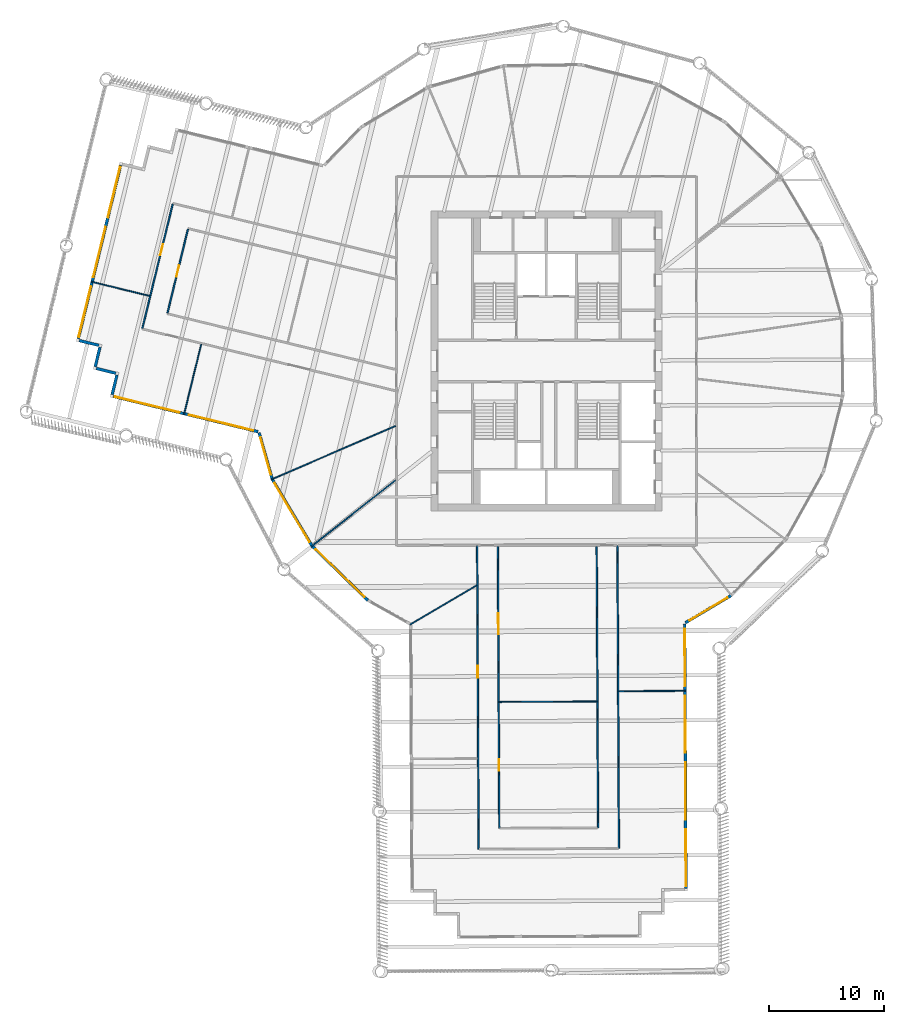
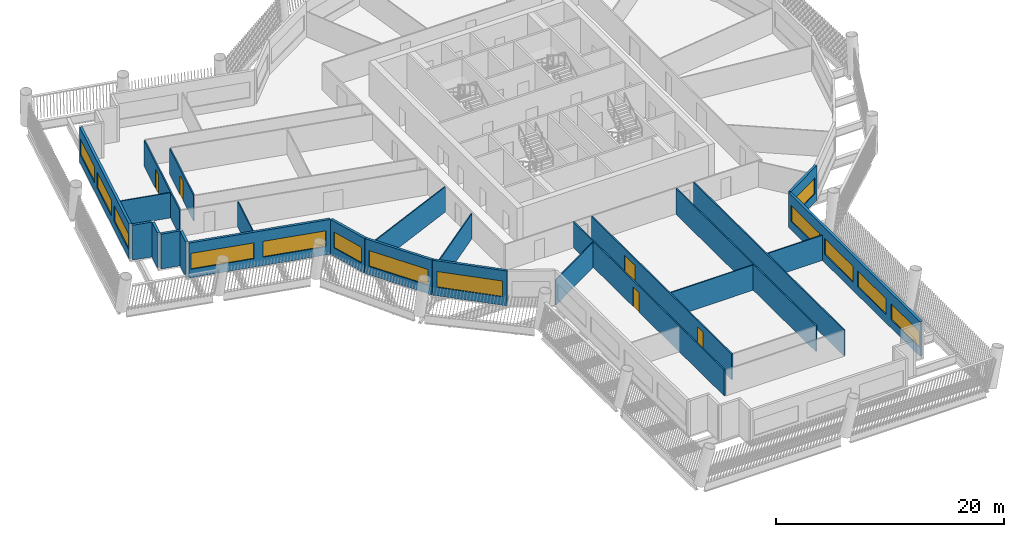
# One storey, part 3 of 15: 24 walls, 13 windows, 5 doors, 18 openings.
"""IFC4 building model written with IfcOpenShell, lengths in metres."""

from ifc_helpers import new_model, si_unit, direction, frame, frame_2d, origin, place, context, subcontext, project, spatial, rectangle, extrude, material, layer, layer_set, type_object, element, fill, save


model = new_model("IFC4")

# Units and contexts
model_context = context("Model", 3, precision=1e-05, world=origin(), true_north=direction((0.0, 1.0)))
body_context = subcontext(model_context, "Body", "Model", "MODEL_VIEW")
ifc_project = project(units=[si_unit("LENGTHUNIT", "METRE"), si_unit("AREAUNIT", "SQUARE_METRE"), si_unit("VOLUMEUNIT", "CUBIC_METRE"), si_unit("PLANEANGLEUNIT", "RADIAN"), si_unit("MASSUNIT", "GRAM", prefix="KILO")], contexts=[model_context])

# Site, building, storey
site_placement = place(None, origin())
site = spatial("IfcSite", under=ifc_project, at=site_placement, CompositionType="ELEMENT")
building_placement = place(site_placement, origin())
building = spatial("IfcBuilding", under=site, at=building_placement, Name="Tarsis Ring Headquarters", CompositionType="ELEMENT")
storey_placement = place(building_placement, frame((0.0, 0.0, 227.699951171875)))
storey = spatial("IfcBuildingStorey", under=building, at=storey_placement, Name="L53", CompositionType="ELEMENT", Elevation=227.699951171875)

# Walls
ifc_material_1 = material(Name="Gypsum board on steel studs", Category="steel")
ifc_layer_1 = layer(ifc_material_1, 0.10009765625)
ifc_layer_set_1 = layer_set([ifc_layer_1], Name="FL partition 100 unrated")
wall_type_1 = type_object("IfcWallType", Name="FL partition 100 unrated", PredefinedType="PARTITIONING", material=ifc_layer_set_1)
wall_1_placement = place(storey_placement, frame((-23.835205078125, -10.255126953125, 0.0), z_axis=(0.0, 0.0, 1.0), x_axis=(0.918589005975, 0.395214167385, 0.0)))
element("IfcWall", 1, at=wall_1_placement, inside=storey, type_object=wall_type_1, Name="Partition PW3", PredefinedType="PARTITIONING", context=body_context, shape_type="SweptSolid", body=[
    extrude(rectangle(XDim=11.715576171875, YDim=0.10009765625, at=frame_2d((5.85791015625, 0.0))), origin(), (0.0, 0.0, 1.0), 2.699951171875),
])
wall_2_placement = place(storey_placement, frame((-20.368896484375, -16.07470703125, 0.0), z_axis=(0.0, 0.0, 1.0), x_axis=(0.785010736889, 0.619482157103, 0.0)))
element("IfcWall", 2, at=wall_2_placement, inside=storey, type_object=wall_type_1, Name="Partition PW3", PredefinedType="PARTITIONING", context=body_context, shape_type="SweptSolid", body=[
    extrude(rectangle(XDim=9.277099609375, YDim=0.10009765625, at=frame_2d((4.638671875, 0.0))), origin(), (0.0, 0.0, 1.0), 2.699951171875),
])
wall_3_placement = place(storey_placement, frame((-4.065673828125, -29.540283203125, 0.0), z_axis=(0.0, 0.0, 1.0), x_axis=(0.999987993966, 0.004900196329, 0.0)))
element("IfcWall", 3, at=wall_3_placement, inside=storey, type_object=wall_type_1, Name="Partition PW3", PredefinedType="PARTITIONING", context=body_context, shape_type="SweptSolid", body=[
    extrude(rectangle(XDim=8.419921875, YDim=0.10009765625, at=frame_2d((4.2099609375, 0.0))), origin(), (0.0, 0.0, 1.0), 2.699951171875),
])
wall_4_placement = place(storey_placement, frame((-11.8134765625, -22.837158203125, 0.0), z_axis=(0.0, 0.0, 1.0), x_axis=(0.861367545123, 0.507982236116, 0.0)))
element("IfcWall", 4, at=wall_4_placement, inside=storey, type_object=wall_type_1, Name="Partition PW3", PredefinedType="PARTITIONING", context=body_context, shape_type="SweptSolid", body=[
    extrude(rectangle(XDim=6.673828125, YDim=0.10009765625, at=frame_2d((3.3369140625, 0.0))), origin(), (0.0, 0.0, 1.0), 2.699951171875),
])
wall_5_placement = place(storey_placement, frame((-31.405029296875, -4.633544921875, 0.0), z_axis=(0.0, 0.0, 1.0), x_axis=(0.237180806142, 0.971465524452, 0.0)))
element("IfcWall", 5, at=wall_5_placement, inside=storey, type_object=wall_type_1, Name="Partition PW3", PredefinedType="PARTITIONING", context=body_context, shape_type="SweptSolid", body=[
    extrude(rectangle(XDim=6.280029296875, YDim=0.10009765625, at=frame_2d((3.14013671875, 0.0))), origin(), (0.0, 0.0, 1.0), 2.699951171875),
])
wall_6_placement = place(storey_placement, frame((6.289794921875, -28.609619140625, 0.0), z_axis=(0.0, 0.0, 1.0), x_axis=(0.999988079485, 0.004882713189, 0.0)))
element("IfcWall", 6, at=wall_6_placement, inside=storey, type_object=wall_type_1, Name="Partition PW3", PredefinedType="PARTITIONING", context=body_context, shape_type="SweptSolid", body=[
    extrude(rectangle(XDim=5.800048828125, YDim=0.10009765625, at=frame_2d((2.89990234375, 0.0))), origin(), (0.0, 0.0, 1.0), 2.699951171875),
])
wall_7_placement = place(storey_placement, frame((-39.443359375, 6.88134765625, 0.0), z_axis=(0.0, 0.0, 1.0), x_axis=(0.97146696183, -0.237174918727, 0.0)))
element("IfcWall", 7, at=wall_7_placement, inside=storey, type_object=wall_type_1, Name="Partition PW3", PredefinedType="PARTITIONING", context=body_context, shape_type="SweptSolid", body=[
    extrude(rectangle(XDim=5.190185546875, YDim=0.10009765625, at=frame_2d((2.59521484375, 0.0))), origin(), (0.0, 0.0, 1.0), 2.699951171875),
])

# Wall, opening, door
ifc_layer_2 = layer(ifc_material_1, 0.125)
ifc_layer_set_2 = layer_set([ifc_layer_2], Name="FL partition 125 EI 60 H2770")
wall_type_2 = type_object("IfcWallType", Name="FL partition 125 EI 60 H2770", PredefinedType="PARTITIONING", material=ifc_layer_set_2)
wall_8_placement = place(storey_placement, frame((-6.001953125, -16.0, 0.0), z_axis=(0.0, 0.0, 1.0), x_axis=(0.004892164029, -0.999988033294, 0.0)))
wall_8 = element("IfcWall", 8, at=wall_8_placement, inside=storey, type_object=wall_type_2, Name="Partition PW1", PredefinedType="PARTITIONING", context=body_context, shape_type="SweptSolid", body=[
    extrude(rectangle(XDim=26.299560546875, YDim=0.125, at=frame_2d((13.14990234375, 0.0))), origin(), (0.0, 0.0, 1.0), 2.77001953125),
])
opening_1_placement = place(wall_8_placement, frame((10.42431640625, 0.0, 0.0)))
opening_1 = element("IfcOpeningElement", 9, at=opening_1_placement, cuts=wall_8, Name="Opening D53.12", PredefinedType="OPENING", context=body_context, shape_type="SweptSolid", body=[
    extrude(rectangle(XDim=1.0, YDim=2.10009765625, at=frame_2d((0.5, 1.050048828125))), frame((0.0, 0.072509765625, 0.0), z_axis=(0.0, -1.0, 0.0), x_axis=(1.0, 0.0, 0.0)), (0.0, 0.0, 1.0), 0.14501953125),
])
ifc_material_2 = material(Name="Fire-rated timber door leaf in steel frame", Category="steel")
door_type_1 = type_object("IfcDoorType", Name="FL door FD60-1000", OperationType="NOTDEFINED", PredefinedType="DOOR", material=ifc_material_2)
door_1_placement = place(opening_1_placement, origin())
door_1 = element("IfcDoor", 10, at=door_1_placement, inside=storey, type_object=door_type_1, Name="Door D53.12", OperationType="SINGLE_SWING_LEFT", OverallHeight=2.10009765625, OverallWidth=1.0, PredefinedType="DOOR", context=body_context, shape_type="SweptSolid", body=[
    extrude(rectangle(XDim=1.0, YDim=2.10009765625, at=frame_2d((0.5, 1.050048828125))), frame((0.0, 0.02490234375, 0.0), z_axis=(0.0, -1.0, 0.0), x_axis=(1.0, 0.0, 0.0)), (0.0, 0.0, 1.0), 0.050048828125),
])
fill(opening_1, door_1)

# Wall
wall_9_placement = place(storey_placement, frame((6.158203125, -16.0, 0.0), z_axis=(0.0, 0.0, 1.0), x_axis=(0.004893966215, -0.999988024476, 0.0)))
element("IfcWall", 11, at=wall_9_placement, inside=storey, type_object=wall_type_2, Name="Partition PW1", PredefinedType="PARTITIONING", context=body_context, shape_type="SweptSolid", body=[
    extrude(rectangle(XDim=26.239990234375, YDim=0.125, at=frame_2d((13.1201171875, 0.0))), origin(), (0.0, 0.0, 1.0), 2.77001953125),
])

# Wall, openings, doors
wall_10_placement = place(storey_placement, frame((-4.201416015625, -16.070068359375, 0.0), z_axis=(0.0, 0.0, 1.0), x_axis=(0.004878673469, -0.999988099202, 0.0)))
wall_10 = element("IfcWall", 12, at=wall_10_placement, inside=storey, type_object=wall_type_2, Name="Partition PW1", PredefinedType="PARTITIONING", context=body_context, shape_type="SweptSolid", body=[
    extrude(rectangle(XDim=24.420654296875, YDim=0.125, at=frame_2d((12.21044921875, 0.0))), origin(), (0.0, 0.0, 1.0), 2.77001953125),
])
opening_2_placement = place(wall_10_placement, frame((5.79931640625, 0.0, 0.0)))
opening_2 = element("IfcOpeningElement", 13, at=opening_2_placement, cuts=wall_10, Name="Opening D53.18", PredefinedType="OPENING", context=body_context, shape_type="SweptSolid", body=[
    extrude(rectangle(XDim=1.800048828125, YDim=2.10009765625, at=frame_2d((0.89990234375, 1.050048828125))), frame((0.0, 0.072509765625, 0.0), z_axis=(0.0, -1.0, 0.0), x_axis=(1.0, 0.0, 0.0)), (0.0, 0.0, 1.0), 0.14501953125),
])
opening_3_placement = place(wall_10_placement, frame((18.444580078125, 0.0, 0.0)))
opening_3 = element("IfcOpeningElement", 14, at=opening_3_placement, cuts=wall_10, Name="Opening D53.19", PredefinedType="OPENING", context=body_context, shape_type="SweptSolid", body=[
    extrude(rectangle(XDim=1.0, YDim=2.10009765625, at=frame_2d((0.5, 1.050048828125))), frame((0.0, 0.072509765625, 0.0), z_axis=(0.0, -1.0, 0.0), x_axis=(1.0, 0.0, 0.0)), (0.0, 0.0, 1.0), 0.14501953125),
])
door_2_placement = place(opening_3_placement, origin())
door_2 = element("IfcDoor", 15, at=door_2_placement, inside=storey, type_object=door_type_1, Name="Door D53.19", OperationType="SINGLE_SWING_RIGHT", OverallHeight=2.10009765625, OverallWidth=1.0, PredefinedType="DOOR", context=body_context, shape_type="SweptSolid", body=[
    extrude(rectangle(XDim=1.0, YDim=2.10009765625, at=frame_2d((0.5, 1.050048828125))), frame((0.0, 0.02490234375, 0.0), z_axis=(0.0, -1.0, 0.0), x_axis=(1.0, 0.0, 0.0)), (0.0, 0.0, 1.0), 0.050048828125),
])
fill(opening_3, door_2)
door_type_2 = type_object("IfcDoorType", Name="FL door FD60-1800", OperationType="DOUBLE_DOOR_SINGLE_SWING", PredefinedType="DOOR", material=ifc_material_2)
door_3_placement = place(opening_2_placement, origin())
door_3 = element("IfcDoor", 16, at=door_3_placement, inside=storey, type_object=door_type_2, Name="Door D53.18", OperationType="DOUBLE_DOOR_SINGLE_SWING", OverallHeight=2.10009765625, OverallWidth=1.800048828125, PredefinedType="DOOR", context=body_context, shape_type="SweptSolid", body=[
    extrude(rectangle(XDim=1.800048828125, YDim=2.10009765625, at=frame_2d((0.89990234375, 1.050048828125))), frame((0.0, 0.02490234375, 0.0), z_axis=(0.0, -1.0, 0.0), x_axis=(1.0, 0.0, 0.0)), (0.0, 0.0, 1.0), 0.050048828125),
])
fill(opening_2, door_3)

# Wall
wall_11_placement = place(storey_placement, frame((4.358642578125, -16.070068359375, 0.0), z_axis=(0.0, 0.0, 1.0), x_axis=(0.004887076856, -0.999988058169, 0.0)))
element("IfcWall", 17, at=wall_11_placement, inside=storey, type_object=wall_type_2, Name="Partition PW1", PredefinedType="PARTITIONING", context=body_context, shape_type="SweptSolid", body=[
    extrude(rectangle(XDim=24.378662109375, YDim=0.125, at=frame_2d((12.189453125, 0.0))), origin(), (0.0, 0.0, 1.0), 2.77001953125),
])

# Wall, opening, door
wall_12_placement = place(storey_placement, frame((-35.01416015625, 2.845703125, 0.0), z_axis=(0.0, 0.0, 1.0), x_axis=(0.237176318334, 0.971466620127, 0.0)))
wall_12 = element("IfcWall", 18, at=wall_12_placement, inside=storey, type_object=wall_type_2, Name="Partition PW1", PredefinedType="PARTITIONING", context=body_context, shape_type="SweptSolid", body=[
    extrude(rectangle(XDim=11.080078125, YDim=0.125, at=frame_2d((5.5400390625, 0.0))), origin(), (0.0, 0.0, 1.0), 2.77001953125),
])
opening_4_placement = place(wall_12_placement, frame((6.506591796875, 0.0, 0.0)))
opening_4 = element("IfcOpeningElement", 19, at=opening_4_placement, cuts=wall_12, Name="Opening D53.02", PredefinedType="OPENING", context=body_context, shape_type="SweptSolid", body=[
    extrude(rectangle(XDim=1.0, YDim=2.10009765625, at=frame_2d((0.5, 1.050048828125))), frame((0.0, 0.072509765625, 0.0), z_axis=(0.0, -1.0, 0.0), x_axis=(1.0, 0.0, 0.0)), (0.0, 0.0, 1.0), 0.14501953125),
])
door_4_placement = place(opening_4_placement, origin())
door_4 = element("IfcDoor", 20, at=door_4_placement, inside=storey, type_object=door_type_1, Name="Door D53.02", OperationType="SINGLE_SWING_LEFT", OverallHeight=2.10009765625, OverallWidth=1.0, PredefinedType="DOOR", context=body_context, shape_type="SweptSolid", body=[
    extrude(rectangle(XDim=1.0, YDim=2.10009765625, at=frame_2d((0.5, 1.050048828125))), frame((0.0, 0.02490234375, 0.0), z_axis=(0.0, -1.0, 0.0), x_axis=(1.0, 0.0, 0.0)), (0.0, 0.0, 1.0), 0.050048828125),
])
fill(opening_4, door_4)

wall_13_placement = place(storey_placement, frame((-32.838623046875, 4.16748046875, 0.0), z_axis=(0.0, 0.0, 1.0), x_axis=(0.237186844911, 0.971464050082, 0.0)))
wall_13 = element("IfcWall", 21, at=wall_13_placement, inside=storey, type_object=wall_type_2, Name="Partition PW1", PredefinedType="PARTITIONING", context=body_context, shape_type="SweptSolid", body=[
    extrude(rectangle(XDim=7.47998046875, YDim=0.125, at=frame_2d((3.739990234375, 0.0))), origin(), (0.0, 0.0, 1.0), 2.77001953125),
])
opening_5_placement = place(wall_13_placement, frame((3.239990234375, 0.0, 0.0)))
opening_5 = element("IfcOpeningElement", 22, at=opening_5_placement, cuts=wall_13, Name="Opening D53.17", PredefinedType="OPENING", context=body_context, shape_type="SweptSolid", body=[
    extrude(rectangle(XDim=1.0, YDim=2.10009765625, at=frame_2d((0.5, 1.050048828125))), frame((0.0, 0.072509765625, 0.0), z_axis=(0.0, -1.0, 0.0), x_axis=(1.0, 0.0, 0.0)), (0.0, 0.0, 1.0), 0.14501953125),
])
door_5_placement = place(opening_5_placement, origin())
door_5 = element("IfcDoor", 23, at=door_5_placement, inside=storey, type_object=door_type_1, Name="Door D53.17", OperationType="SINGLE_SWING_RIGHT", OverallHeight=2.10009765625, OverallWidth=1.0, PredefinedType="DOOR", context=body_context, shape_type="SweptSolid", body=[
    extrude(rectangle(XDim=1.0, YDim=2.10009765625, at=frame_2d((0.5, 1.050048828125))), frame((0.0, 0.02490234375, 0.0), z_axis=(0.0, -1.0, 0.0), x_axis=(1.0, 0.0, 0.0)), (0.0, 0.0, 1.0), 0.050048828125),
])
fill(opening_5, door_5)

# Wall, openings, windows
ifc_material_3 = material(Name="Terracotta clad insulated panel wall", Category="masonry")
ifc_layer_3 = layer(ifc_material_3, 0.25)
ifc_layer_set_3 = layer_set([ifc_layer_3], Name="Facade wall terracotta panel 250")
wall_type_3 = type_object("IfcWallType", Name="Facade wall terracotta panel 250", PredefinedType="STANDARD", material=ifc_layer_set_3)
wall_14_placement = place(storey_placement, frame((-37.54638671875, -3.05712890625, 0.0), z_axis=(0.0, 0.0, 1.0), x_axis=(0.971468015765, -0.237170601772, 0.0)))
wall_14 = element("IfcWall", 24, at=wall_14_placement, inside=storey, type_object=wall_type_3, Name="External wall L53-01", PredefinedType="STANDARD", context=body_context, shape_type="SweptSolid", body=[
    extrude(rectangle(XDim=12.921875, YDim=0.25, at=frame_2d((6.4609375, 0.0))), origin(), (0.0, 0.0, 1.0), 3.739990234375),
])
opening_6_placement = place(wall_14_placement, frame((0.16796875, 0.0, 0.89990234375)))
opening_6 = element("IfcOpeningElement", 25, at=opening_6_placement, cuts=wall_14, Name="Opening WN06", PredefinedType="OPENING", context=body_context, shape_type="SweptSolid", body=[
    extrude(rectangle(XDim=5.75, YDim=1.699951171875, at=frame_2d((2.875, 0.85009765625))), frame((0.0, 0.135009765625, 0.0), z_axis=(0.0, -1.0, 0.0), x_axis=(1.0, 0.0, 0.0)), (0.0, 0.0, 1.0), 0.27001953125),
])
opening_7_placement = place(wall_14_placement, frame((6.75390625, 0.0, 0.89990234375)))
opening_7 = element("IfcOpeningElement", 26, at=opening_7_placement, cuts=wall_14, Name="Opening WN06", PredefinedType="OPENING", context=body_context, shape_type="SweptSolid", body=[
    extrude(rectangle(XDim=5.75, YDim=1.699951171875, at=frame_2d((2.875, 0.85009765625))), frame((0.0, 0.135009765625, 0.0), z_axis=(0.0, -1.0, 0.0), x_axis=(1.0, 0.0, 0.0)), (0.0, 0.0, 1.0), 0.27001953125),
])
ifc_material_4 = material(Name="Aluminium framed double glazing", Category="aluminium")
window_type_1 = type_object("IfcWindowType", Name="Facade window 5750 x 1700", PartitioningType="SINGLE_PANEL", PredefinedType="WINDOW", material=ifc_material_4)
window_1_placement = place(opening_6_placement, origin())
window_1 = element("IfcWindow", 27, at=window_1_placement, inside=storey, type_object=window_type_1, Name="Window L53-01.1", OverallHeight=1.699951171875, OverallWidth=5.75, PartitioningType="SINGLE_PANEL", PredefinedType="WINDOW", context=body_context, shape_type="SweptSolid", body=[
    extrude(rectangle(XDim=5.75, YDim=1.699951171875, at=frame_2d((2.875, 0.85009765625))), frame((0.0, 0.030029296875, 0.0), z_axis=(0.0, -1.0, 0.0), x_axis=(1.0, 0.0, 0.0)), (0.0, 0.0, 1.0), 0.06005859375),
])
fill(opening_6, window_1)
window_2_placement = place(opening_7_placement, origin())
window_2 = element("IfcWindow", 28, at=window_2_placement, inside=storey, type_object=window_type_1, Name="Window L53-01.2", OverallHeight=1.699951171875, OverallWidth=5.75, PartitioningType="SINGLE_PANEL", PredefinedType="WINDOW", context=body_context, shape_type="SweptSolid", body=[
    extrude(rectangle(XDim=5.75, YDim=1.699951171875, at=frame_2d((2.875, 0.85009765625))), frame((0.0, 0.030029296875, 0.0), z_axis=(0.0, -1.0, 0.0), x_axis=(1.0, 0.0, 0.0)), (0.0, 0.0, 1.0), 0.06005859375),
])
fill(opening_7, window_2)

# Wall, opening, window
wall_15_placement = place(storey_placement, frame((-24.902587890625, -6.209228515625, 0.0), z_axis=(0.0, 0.0, 1.0), x_axis=(0.271935726924, -0.962315416286, 0.0)))
wall_15 = element("IfcWall", 29, at=wall_15_placement, inside=storey, type_object=wall_type_3, Name="External wall L53-02", PredefinedType="STANDARD", context=body_context, shape_type="SweptSolid", body=[
    extrude(rectangle(XDim=4.15771484375, YDim=0.25, at=frame_2d((2.078857421875, 0.0))), origin(), (0.0, 0.0, 1.0), 3.739990234375),
])
opening_8_placement = place(wall_15_placement, frame((0.420166015625, 0.0, 0.89990234375)))
opening_8 = element("IfcOpeningElement", 30, at=opening_8_placement, cuts=wall_15, Name="Opening WN01", PredefinedType="OPENING", context=body_context, shape_type="SweptSolid", body=[
    extrude(rectangle(XDim=3.35009765625, YDim=1.699951171875, at=frame_2d((1.675048828125, 0.85009765625))), frame((0.0, 0.135009765625, 0.0), z_axis=(0.0, -1.0, 0.0), x_axis=(1.0, 0.0, 0.0)), (0.0, 0.0, 1.0), 0.27001953125),
])
window_type_2 = type_object("IfcWindowType", Name="Facade window 3350 x 1700", PartitioningType="SINGLE_PANEL", PredefinedType="WINDOW", material=ifc_material_4)
window_3_placement = place(opening_8_placement, origin())
window_3 = element("IfcWindow", 31, at=window_3_placement, inside=storey, type_object=window_type_2, Name="Window L53-02.1", OverallHeight=1.699951171875, OverallWidth=3.35009765625, PartitioningType="SINGLE_PANEL", PredefinedType="WINDOW", context=body_context, shape_type="SweptSolid", body=[
    extrude(rectangle(XDim=3.35009765625, YDim=1.699951171875, at=frame_2d((1.675048828125, 0.85009765625))), frame((0.0, 0.030029296875, 0.0), z_axis=(0.0, -1.0, 0.0), x_axis=(1.0, 0.0, 0.0)), (0.0, 0.0, 1.0), 0.06005859375),
])
fill(opening_8, window_3)

wall_16_placement = place(storey_placement, frame((-23.759033203125, -10.240234375, 0.0), z_axis=(0.0, 0.0, 1.0), x_axis=(0.511747565236, -0.859135862058, 0.0)))
wall_16 = element("IfcWall", 32, at=wall_16_placement, inside=storey, type_object=wall_type_3, Name="External wall L53-03", PredefinedType="STANDARD", context=body_context, shape_type="SweptSolid", body=[
    extrude(rectangle(XDim=6.721435546875, YDim=0.25, at=frame_2d((3.36083984375, 0.0))), origin(), (0.0, 0.0, 1.0), 3.739990234375),
])
opening_9_placement = place(wall_16_placement, frame((0.3857421875, 0.0, 0.89990234375)))
opening_9 = element("IfcOpeningElement", 33, at=opening_9_placement, cuts=wall_16, Name="Opening WN07", PredefinedType="OPENING", context=body_context, shape_type="SweptSolid", body=[
    extrude(rectangle(XDim=5.949951171875, YDim=1.699951171875, at=frame_2d((2.97509765625, 0.85009765625))), frame((0.0, 0.135009765625, 0.0), z_axis=(0.0, -1.0, 0.0), x_axis=(1.0, 0.0, 0.0)), (0.0, 0.0, 1.0), 0.27001953125),
])
window_type_3 = type_object("IfcWindowType", Name="Facade window 5950 x 1700", PartitioningType="SINGLE_PANEL", PredefinedType="WINDOW", material=ifc_material_4)
window_4_placement = place(opening_9_placement, origin())
window_4 = element("IfcWindow", 34, at=window_4_placement, inside=storey, type_object=window_type_3, Name="Window L53-03.1", OverallHeight=1.699951171875, OverallWidth=5.949951171875, PartitioningType="SINGLE_PANEL", PredefinedType="WINDOW", context=body_context, shape_type="SweptSolid", body=[
    extrude(rectangle(XDim=5.949951171875, YDim=1.699951171875, at=frame_2d((2.97509765625, 0.85009765625))), frame((0.0, 0.030029296875, 0.0), z_axis=(0.0, -1.0, 0.0), x_axis=(1.0, 0.0, 0.0)), (0.0, 0.0, 1.0), 0.06005859375),
])
fill(opening_9, window_4)

wall_17_placement = place(storey_placement, frame((-20.299072265625, -16.04052734375, 0.0), z_axis=(0.0, 0.0, 1.0), x_axis=(0.716666559453, -0.69741597527, 0.0)))
wall_17 = element("IfcWall", 35, at=wall_17_placement, inside=storey, type_object=wall_type_3, Name="External wall L53-04", PredefinedType="STANDARD", context=body_context, shape_type="SweptSolid", body=[
    extrude(rectangle(XDim=6.7216796875, YDim=0.25, at=frame_2d((3.36083984375, 0.0))), origin(), (0.0, 0.0, 1.0), 3.739990234375),
])
opening_10_placement = place(wall_17_placement, frame((0.3857421875, 0.0, 0.89990234375)))
opening_10 = element("IfcOpeningElement", 36, at=opening_10_placement, cuts=wall_17, Name="Opening WN07", PredefinedType="OPENING", context=body_context, shape_type="SweptSolid", body=[
    extrude(rectangle(XDim=5.949951171875, YDim=1.699951171875, at=frame_2d((2.97509765625, 0.85009765625))), frame((0.0, 0.135009765625, 0.0), z_axis=(0.0, -1.0, 0.0), x_axis=(1.0, 0.0, 0.0)), (0.0, 0.0, 1.0), 0.27001953125),
])
window_5_placement = place(opening_10_placement, origin())
window_5 = element("IfcWindow", 37, at=window_5_placement, inside=storey, type_object=window_type_3, Name="Window L53-04.1", OverallHeight=1.699951171875, OverallWidth=5.949951171875, PartitioningType="SINGLE_PANEL", PredefinedType="WINDOW", context=body_context, shape_type="SweptSolid", body=[
    extrude(rectangle(XDim=5.949951171875, YDim=1.699951171875, at=frame_2d((2.97509765625, 0.85009765625))), frame((0.0, 0.030029296875, 0.0), z_axis=(0.0, -1.0, 0.0), x_axis=(1.0, 0.0, 0.0)), (0.0, 0.0, 1.0), 0.06005859375),
])
fill(opening_10, window_5)

# Wall, openings, windows
wall_18_placement = place(storey_placement, frame((12.098388671875, -45.69140625, 0.0), z_axis=(0.0, 0.0, 1.0), x_axis=(-0.004882514854, 0.999988080453, 0.0)))
wall_18 = element("IfcWall", 38, at=wall_18_placement, inside=storey, type_object=wall_type_3, Name="External wall L53-16", PredefinedType="STANDARD", context=body_context, shape_type="SweptSolid", body=[
    extrude(rectangle(XDim=22.9013671875, YDim=0.25, at=frame_2d((11.45068359375, 0.0))), origin(), (0.0, 0.0, 1.0), 3.739990234375),
])
opening_11_placement = place(wall_18_placement, frame((0.1689453125, 0.0, 0.89990234375)))
opening_11 = element("IfcOpeningElement", 39, at=opening_11_placement, cuts=wall_18, Name="Opening WN05", PredefinedType="OPENING", context=body_context, shape_type="SweptSolid", body=[
    extrude(rectangle(XDim=4.949951171875, YDim=1.699951171875, at=frame_2d((2.47509765625, 0.85009765625))), frame((0.0, 0.135009765625, 0.0), z_axis=(0.0, -1.0, 0.0), x_axis=(1.0, 0.0, 0.0)), (0.0, 0.0, 1.0), 0.27001953125),
])
opening_12_placement = place(wall_18_placement, frame((5.956787109375, 0.0, 0.89990234375)))
opening_12 = element("IfcOpeningElement", 40, at=opening_12_placement, cuts=wall_18, Name="Opening WN05", PredefinedType="OPENING", context=body_context, shape_type="SweptSolid", body=[
    extrude(rectangle(XDim=4.949951171875, YDim=1.699951171875, at=frame_2d((2.47509765625, 0.85009765625))), frame((0.0, 0.135009765625, 0.0), z_axis=(0.0, -1.0, 0.0), x_axis=(1.0, 0.0, 0.0)), (0.0, 0.0, 1.0), 0.27001953125),
])
opening_13_placement = place(wall_18_placement, frame((11.74462890625, 0.0, 0.89990234375)))
opening_13 = element("IfcOpeningElement", 41, at=opening_13_placement, cuts=wall_18, Name="Opening WN05", PredefinedType="OPENING", context=body_context, shape_type="SweptSolid", body=[
    extrude(rectangle(XDim=4.949951171875, YDim=1.699951171875, at=frame_2d((2.47509765625, 0.85009765625))), frame((0.0, 0.135009765625, 0.0), z_axis=(0.0, -1.0, 0.0), x_axis=(1.0, 0.0, 0.0)), (0.0, 0.0, 1.0), 0.27001953125),
])
opening_14_placement = place(wall_18_placement, frame((17.532470703125, 0.0, 0.89990234375)))
opening_14 = element("IfcOpeningElement", 42, at=opening_14_placement, cuts=wall_18, Name="Opening WN05", PredefinedType="OPENING", context=body_context, shape_type="SweptSolid", body=[
    extrude(rectangle(XDim=4.949951171875, YDim=1.699951171875, at=frame_2d((2.47509765625, 0.85009765625))), frame((0.0, 0.135009765625, 0.0), z_axis=(0.0, -1.0, 0.0), x_axis=(1.0, 0.0, 0.0)), (0.0, 0.0, 1.0), 0.27001953125),
])
window_type_4 = type_object("IfcWindowType", Name="Facade window 4950 x 1700", PartitioningType="SINGLE_PANEL", PredefinedType="WINDOW", material=ifc_material_4)
window_6_placement = place(opening_11_placement, origin())
window_6 = element("IfcWindow", 43, at=window_6_placement, inside=storey, type_object=window_type_4, Name="Window L53-16.1", OverallHeight=1.699951171875, OverallWidth=4.949951171875, PartitioningType="SINGLE_PANEL", PredefinedType="WINDOW", context=body_context, shape_type="SweptSolid", body=[
    extrude(rectangle(XDim=4.949951171875, YDim=1.699951171875, at=frame_2d((2.47509765625, 0.85009765625))), frame((0.0, 0.030029296875, 0.0), z_axis=(0.0, -1.0, 0.0), x_axis=(1.0, 0.0, 0.0)), (0.0, 0.0, 1.0), 0.06005859375),
])
fill(opening_11, window_6)
window_7_placement = place(opening_12_placement, origin())
window_7 = element("IfcWindow", 44, at=window_7_placement, inside=storey, type_object=window_type_4, Name="Window L53-16.2", OverallHeight=1.699951171875, OverallWidth=4.949951171875, PartitioningType="SINGLE_PANEL", PredefinedType="WINDOW", context=body_context, shape_type="SweptSolid", body=[
    extrude(rectangle(XDim=4.949951171875, YDim=1.699951171875, at=frame_2d((2.47509765625, 0.85009765625))), frame((0.0, 0.030029296875, 0.0), z_axis=(0.0, -1.0, 0.0), x_axis=(1.0, 0.0, 0.0)), (0.0, 0.0, 1.0), 0.06005859375),
])
fill(opening_12, window_7)
window_8_placement = place(opening_13_placement, origin())
window_8 = element("IfcWindow", 45, at=window_8_placement, inside=storey, type_object=window_type_4, Name="Window L53-16.3", OverallHeight=1.699951171875, OverallWidth=4.949951171875, PartitioningType="SINGLE_PANEL", PredefinedType="WINDOW", context=body_context, shape_type="SweptSolid", body=[
    extrude(rectangle(XDim=4.949951171875, YDim=1.699951171875, at=frame_2d((2.47509765625, 0.85009765625))), frame((0.0, 0.030029296875, 0.0), z_axis=(0.0, -1.0, 0.0), x_axis=(1.0, 0.0, 0.0)), (0.0, 0.0, 1.0), 0.06005859375),
])
fill(opening_13, window_8)
window_9_placement = place(opening_14_placement, origin())
window_9 = element("IfcWindow", 46, at=window_9_placement, inside=storey, type_object=window_type_4, Name="Window L53-16.4", OverallHeight=1.699951171875, OverallWidth=4.949951171875, PartitioningType="SINGLE_PANEL", PredefinedType="WINDOW", context=body_context, shape_type="SweptSolid", body=[
    extrude(rectangle(XDim=4.949951171875, YDim=1.699951171875, at=frame_2d((2.47509765625, 0.85009765625))), frame((0.0, 0.030029296875, 0.0), z_axis=(0.0, -1.0, 0.0), x_axis=(1.0, 0.0, 0.0)), (0.0, 0.0, 1.0), 0.06005859375),
])
fill(opening_14, window_9)

# Wall, opening, window
wall_19_placement = place(storey_placement, frame((12.047607421875, -22.682373046875, 0.0), z_axis=(0.0, 0.0, 1.0), x_axis=(0.859144572072, 0.511732942344, 0.0)))
wall_19 = element("IfcWall", 47, at=wall_19_placement, inside=storey, type_object=wall_type_3, Name="External wall L53-17", PredefinedType="STANDARD", context=body_context, shape_type="SweptSolid", body=[
    extrude(rectangle(XDim=4.61767578125, YDim=0.25, at=frame_2d((2.308837890625, 0.0))), origin(), (0.0, 0.0, 1.0), 3.739990234375),
])
opening_15_placement = place(wall_19_placement, frame((0.400390625, 0.0, 0.89990234375)))
opening_15 = element("IfcOpeningElement", 48, at=opening_15_placement, cuts=wall_19, Name="Opening WN02", PredefinedType="OPENING", context=body_context, shape_type="SweptSolid", body=[
    extrude(rectangle(XDim=3.85009765625, YDim=1.699951171875, at=frame_2d((1.925048828125, 0.85009765625))), frame((0.0, 0.135009765625, 0.0), z_axis=(0.0, -1.0, 0.0), x_axis=(1.0, 0.0, 0.0)), (0.0, 0.0, 1.0), 0.27001953125),
])
window_type_5 = type_object("IfcWindowType", Name="Facade window 3850 x 1700", PartitioningType="SINGLE_PANEL", PredefinedType="WINDOW", material=ifc_material_4)
window_10_placement = place(opening_15_placement, origin())
window_10 = element("IfcWindow", 49, at=window_10_placement, inside=storey, type_object=window_type_5, Name="Window L53-17.1", OverallHeight=1.699951171875, OverallWidth=3.85009765625, PartitioningType="SINGLE_PANEL", PredefinedType="WINDOW", context=body_context, shape_type="SweptSolid", body=[
    extrude(rectangle(XDim=3.85009765625, YDim=1.699951171875, at=frame_2d((1.925048828125, 0.85009765625))), frame((0.0, 0.030029296875, 0.0), z_axis=(0.0, -1.0, 0.0), x_axis=(1.0, 0.0, 0.0)), (0.0, 0.0, 1.0), 0.06005859375),
])
fill(opening_15, window_10)

# Wall, openings, windows
wall_20_placement = place(storey_placement, frame((-36.899169921875, 16.986328125, 0.0), z_axis=(0.0, 0.0, 1.0), x_axis=(-0.237176633238, -0.971466543246, 0.0)))
wall_20 = element("IfcWall", 50, at=wall_20_placement, inside=storey, type_object=wall_type_3, Name="External wall L53-36", PredefinedType="STANDARD", context=body_context, shape_type="SweptSolid", body=[
    extrude(rectangle(XDim=15.500244140625, YDim=0.25, at=frame_2d((7.75, 0.0))), origin(), (0.0, 0.0, 1.0), 3.739990234375),
])
opening_16_placement = place(wall_20_placement, frame((0.166748046875, 0.0, 0.89990234375)))
opening_16 = element("IfcOpeningElement", 51, at=opening_16_placement, cuts=wall_20, Name="Opening WN04", PredefinedType="OPENING", context=body_context, shape_type="SweptSolid", body=[
    extrude(rectangle(XDim=4.5, YDim=1.699951171875, at=frame_2d((2.25, 0.85009765625))), frame((0.0, 0.135009765625, 0.0), z_axis=(0.0, -1.0, 0.0), x_axis=(1.0, 0.0, 0.0)), (0.0, 0.0, 1.0), 0.27001953125),
])
opening_17_placement = place(wall_20_placement, frame((5.5, 0.0, 0.89990234375)))
opening_17 = element("IfcOpeningElement", 52, at=opening_17_placement, cuts=wall_20, Name="Opening WN04", PredefinedType="OPENING", context=body_context, shape_type="SweptSolid", body=[
    extrude(rectangle(XDim=4.5, YDim=1.699951171875, at=frame_2d((2.25, 0.85009765625))), frame((0.0, 0.135009765625, 0.0), z_axis=(0.0, -1.0, 0.0), x_axis=(1.0, 0.0, 0.0)), (0.0, 0.0, 1.0), 0.27001953125),
])
opening_18_placement = place(wall_20_placement, frame((10.833251953125, 0.0, 0.89990234375)))
opening_18 = element("IfcOpeningElement", 53, at=opening_18_placement, cuts=wall_20, Name="Opening WN04", PredefinedType="OPENING", context=body_context, shape_type="SweptSolid", body=[
    extrude(rectangle(XDim=4.5, YDim=1.699951171875, at=frame_2d((2.25, 0.85009765625))), frame((0.0, 0.135009765625, 0.0), z_axis=(0.0, -1.0, 0.0), x_axis=(1.0, 0.0, 0.0)), (0.0, 0.0, 1.0), 0.27001953125),
])
window_type_6 = type_object("IfcWindowType", Name="Facade window 4500 x 1700", PartitioningType="SINGLE_PANEL", PredefinedType="WINDOW", material=ifc_material_4)
window_11_placement = place(opening_16_placement, origin())
window_11 = element("IfcWindow", 54, at=window_11_placement, inside=storey, type_object=window_type_6, Name="Window L53-36.1", OverallHeight=1.699951171875, OverallWidth=4.5, PartitioningType="SINGLE_PANEL", PredefinedType="WINDOW", context=body_context, shape_type="SweptSolid", body=[
    extrude(rectangle(XDim=4.5, YDim=1.699951171875, at=frame_2d((2.25, 0.85009765625))), frame((0.0, 0.030029296875, 0.0), z_axis=(0.0, -1.0, 0.0), x_axis=(1.0, 0.0, 0.0)), (0.0, 0.0, 1.0), 0.06005859375),
])
fill(opening_16, window_11)
window_12_placement = place(opening_17_placement, origin())
window_12 = element("IfcWindow", 55, at=window_12_placement, inside=storey, type_object=window_type_6, Name="Window L53-36.2", OverallHeight=1.699951171875, OverallWidth=4.5, PartitioningType="SINGLE_PANEL", PredefinedType="WINDOW", context=body_context, shape_type="SweptSolid", body=[
    extrude(rectangle(XDim=4.5, YDim=1.699951171875, at=frame_2d((2.25, 0.85009765625))), frame((0.0, 0.030029296875, 0.0), z_axis=(0.0, -1.0, 0.0), x_axis=(1.0, 0.0, 0.0)), (0.0, 0.0, 1.0), 0.06005859375),
])
fill(opening_17, window_12)
window_13_placement = place(opening_18_placement, origin())
window_13 = element("IfcWindow", 56, at=window_13_placement, inside=storey, type_object=window_type_6, Name="Window L53-36.3", OverallHeight=1.699951171875, OverallWidth=4.5, PartitioningType="SINGLE_PANEL", PredefinedType="WINDOW", context=body_context, shape_type="SweptSolid", body=[
    extrude(rectangle(XDim=4.5, YDim=1.699951171875, at=frame_2d((2.25, 0.85009765625))), frame((0.0, 0.030029296875, 0.0), z_axis=(0.0, -1.0, 0.0), x_axis=(1.0, 0.0, 0.0)), (0.0, 0.0, 1.0), 0.06005859375),
])
fill(opening_18, window_13)

# Walls
for number, where, z_axis, x_axis, name in (
    (57, (-40.483642578125, 1.777587890625, 0.0), (0.0, 0.0, 1.0), (0.971473323832, -0.237148858489, 0.0), "External wall L53-37"),
    (58, (-38.691650390625, 1.21142578125, 0.0), (0.0, 0.0, 1.0), (-0.237148858489, -0.971473323832, 0.0), "External wall L53-38"),
    (59, (-39.014892578125, -0.639892578125, 0.0), (0.0, 0.0, 1.0), (0.971465476853, -0.237181001099, 0.0), "External wall L53-39"),
    (60, (-37.22314453125, -1.205810546875, 0.0), (0.0, 0.0, 1.0), (-0.237148858489, -0.971473323832, 0.0), "External wall L53-40"),
):
    element("IfcWall", number, at=place(storey_placement, frame(where, z_axis=z_axis, x_axis=x_axis)), inside=storey, type_object=wall_type_3, Name=name, PredefinedType="STANDARD", context=body_context, shape_type="SweptSolid", body=[
        extrude(rectangle(XDim=1.75, YDim=0.25, at=frame_2d((0.875, 0.0))), origin(), (0.0, 0.0, 1.0), 3.739990234375),
    ])

save(model, "model.ifc")
